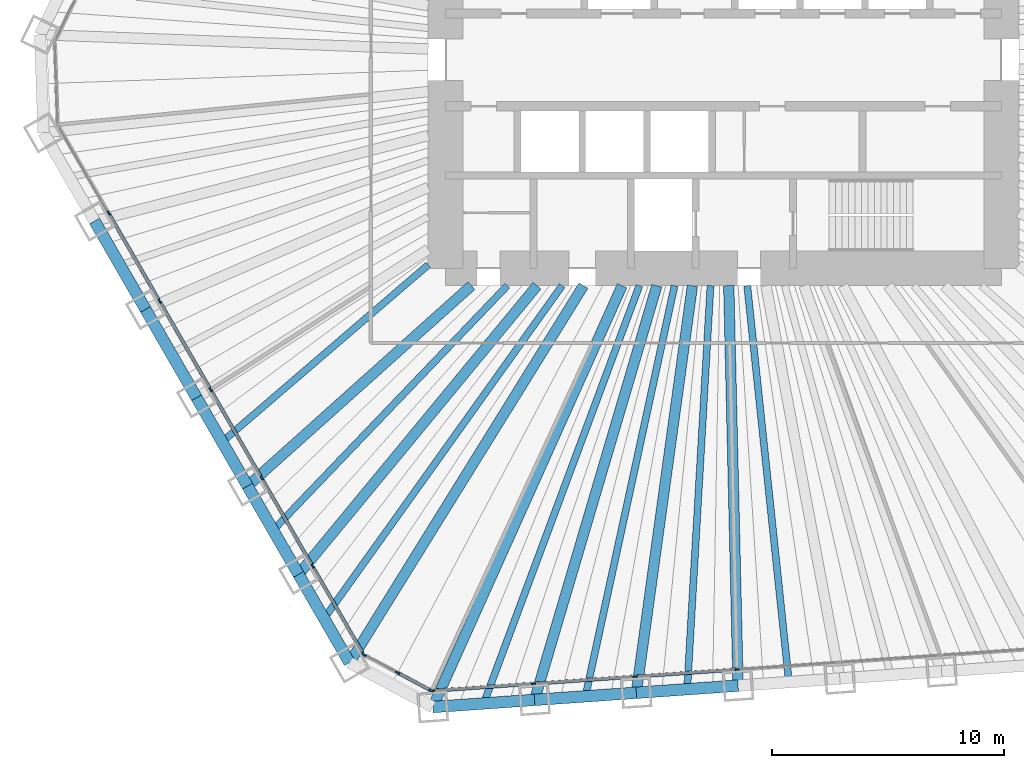
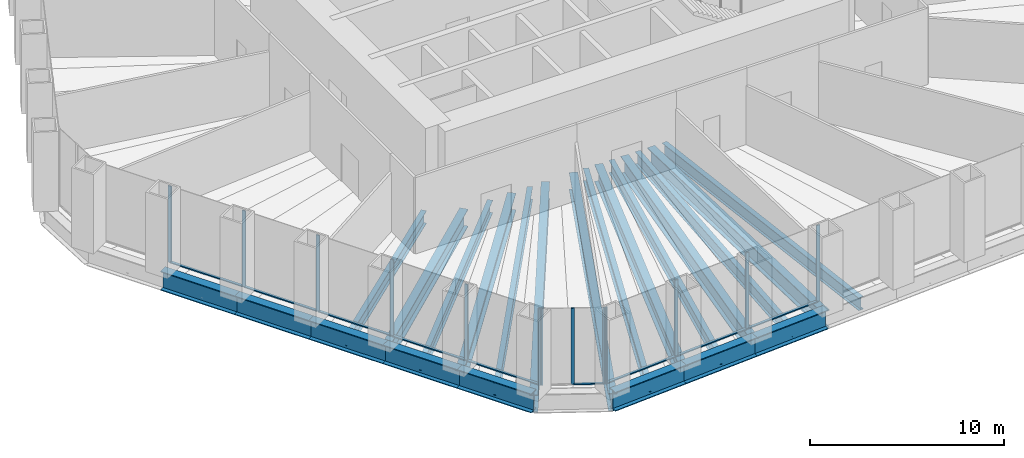
# One storey, part 2 of 13: 22 beams, 22 members, 3 elements without a shape of their own.
"""IFC4 building model written with IfcOpenShell, lengths in metres."""

from ifc_helpers import new_model, si_unit, direction, frame, origin, origin_2d, place, context, subcontext, project, spatial, rectangle, i_section, extrude, material, material_profile, profile_set, type_object, element, aggregate, save


model = new_model("IFC4")

# Units and contexts
model_context = context("Model", 3, precision=1e-05, world=origin(), true_north=direction((0.0, 1.0)))
body_context = subcontext(model_context, "Body", "Model", "MODEL_VIEW")
ifc_project = project(units=[si_unit("LENGTHUNIT", "METRE"), si_unit("AREAUNIT", "SQUARE_METRE"), si_unit("VOLUMEUNIT", "CUBIC_METRE"), si_unit("PLANEANGLEUNIT", "RADIAN"), si_unit("MASSUNIT", "GRAM", prefix="KILO")], contexts=[model_context])

# Site, building, storey
site_placement = place(None, origin())
site = spatial("IfcSite", under=ifc_project, at=site_placement, CompositionType="ELEMENT")
building_placement = place(site_placement, origin())
building = spatial("IfcBuilding", under=site, at=building_placement, Name="Qingtian Harvest Tower", CompositionType="ELEMENT")
storey_placement = place(building_placement, frame((0.0, 0.0, 62.0)))
storey = spatial("IfcBuildingStorey", under=building, at=storey_placement, Name="L12", CompositionType="ELEMENT", Elevation=62.0)

# Beams
ifc_material_1 = material(Name="Steel SM570MC", Category="steel")
ifc_material_profile_1 = material_profile(ifc_material_1, i_section(OverallWidth=0.449951171875, OverallDepth=1.10009765625, WebThickness=0.02197265625, FlangeThickness=0.044921875, at=origin_2d()), Name="H1100x450x22x45")
ifc_profile_set_1 = profile_set([ifc_material_profile_1], Name="Steel SM570MC")
beam_type_1 = type_object("IfcBeamType", Name="Corner floor beam FB8 H1100x450x22x45", PredefinedType="BEAM", material=ifc_profile_set_1)
beam_1_placement = place(storey_placement, frame((-12.552734375, -27.943603515625, -0.75), z_axis=(0.409769605538, 0.912189054077, 0.0), x_axis=(-0.912189054077, 0.409769605538, 0.0)))
element("IfcBeam", 1, at=beam_1_placement, inside=storey, type_object=beam_type_1, Name="Floor beam FB8 S6", PredefinedType="BEAM", context=body_context, shape_type="SweptSolid", body=[
    extrude(i_section(OverallWidth=0.449951171875, OverallDepth=1.10009765625, WebThickness=0.02197265625, FlangeThickness=0.044921875, at=origin_2d()), origin(), (0.0, 0.0, 1.0), 19.945068359375),
])
beam_2_placement = place(storey_placement, frame((-16.14697265625, -26.03271484375, -0.75), z_axis=(0.5270935495, 0.849807266429, 0.0), x_axis=(-0.849807266429, 0.5270935495, 0.0)))
element("IfcBeam", 2, at=beam_2_placement, inside=storey, type_object=beam_type_1, Name="Floor beam FB8 SW0", PredefinedType="BEAM", context=body_context, shape_type="SweptSolid", body=[
    extrude(i_section(OverallWidth=0.449951171875, OverallDepth=1.10009765625, WebThickness=0.02197265625, FlangeThickness=0.044921875, at=origin_2d()), origin(), (0.0, 0.0, 1.0), 19.160400390625),
])
ifc_material_2 = material(Name="Steel SM570MC", Category="steel")
ifc_material_profile_2 = material_profile(ifc_material_2, i_section(OverallWidth=0.449951171875, OverallDepth=1.10009765625, WebThickness=0.02197265625, FlangeThickness=0.044921875, at=origin_2d()), Name="H1100x450x22x45")
ifc_profile_set_2 = profile_set([ifc_material_profile_2], Name="Steel SM570MC")
beam_type_2 = type_object("IfcBeamType", Name="Floor beam FB1 H1100x450x22x45", PredefinedType="BEAM", material=ifc_profile_set_2)
beam_3_placement = place(storey_placement, frame((0.62890625, -27.02197265625, -0.75), z_axis=(-0.023274161941, 0.999729120005, 0.0), x_axis=(-0.999729120005, -0.023274161941, 0.0)))
element("IfcBeam", 3, at=beam_3_placement, inside=storey, type_object=beam_type_2, Name="Floor beam FB1 S3", PredefinedType="BEAM", context=body_context, shape_type="SweptSolid", body=[
    extrude(i_section(OverallWidth=0.449951171875, OverallDepth=1.10009765625, WebThickness=0.02197265625, FlangeThickness=0.044921875, at=origin_2d()), origin(), (0.0, 0.0, 1.0), 17.276611328125),
])
beam_4_placement = place(storey_placement, frame((-3.76513671875, -27.3291015625, -0.75), z_axis=(0.136480966577, 0.990642693287, 0.0), x_axis=(-0.990642693287, 0.136480966577, 0.0)))
element("IfcBeam", 4, at=beam_4_placement, inside=storey, type_object=beam_type_2, Name="Floor beam FB1 S4", PredefinedType="BEAM", context=body_context, shape_type="SweptSolid", body=[
    extrude(i_section(OverallWidth=0.449951171875, OverallDepth=1.10009765625, WebThickness=0.02197265625, FlangeThickness=0.044921875, at=origin_2d()), origin(), (0.0, 0.0, 1.0), 17.7451171875),
])
beam_5_placement = place(storey_placement, frame((-8.158935546875, -27.636474609375, -0.75), z_axis=(0.283142824758, 0.95907775534, 0.0), x_axis=(-0.95907775534, 0.283142824758, 0.0)))
element("IfcBeam", 5, at=beam_5_placement, inside=storey, type_object=beam_type_2, Name="Floor beam FB1 S5", PredefinedType="BEAM", context=body_context, shape_type="SweptSolid", body=[
    extrude(i_section(OverallWidth=0.449951171875, OverallDepth=1.10009765625, WebThickness=0.02197265625, FlangeThickness=0.044921875, at=origin_2d()), origin(), (0.0, 0.0, 1.0), 18.649658203125),
])
beam_6_placement = place(storey_placement, frame((-18.349365234375, -22.21826171875, -0.75), z_axis=(0.636780387972, 0.771045224026, 0.0), x_axis=(-0.771045224026, 0.636780387972, 0.0)))
element("IfcBeam", 6, at=beam_6_placement, inside=storey, type_object=beam_type_2, Name="Floor beam FB1 SW1", PredefinedType="BEAM", context=body_context, shape_type="SweptSolid", body=[
    extrude(i_section(OverallWidth=0.449951171875, OverallDepth=1.10009765625, WebThickness=0.02197265625, FlangeThickness=0.044921875, at=origin_2d()), origin(), (0.0, 0.0, 1.0), 16.170654296875),
])
beam_7_placement = place(storey_placement, frame((-20.551513671875, -18.403564453125, -0.75), z_axis=(0.744965104975, 0.667103434536, 0.0), x_axis=(-0.667103434536, 0.744965104975, 0.0)))
element("IfcBeam", 7, at=beam_7_placement, inside=storey, type_object=beam_type_2, Name="Floor beam FB1 SW2", PredefinedType="BEAM", context=body_context, shape_type="SweptSolid", body=[
    extrude(i_section(OverallWidth=0.449951171875, OverallDepth=1.10009765625, WebThickness=0.02197265625, FlangeThickness=0.044921875, at=origin_2d()), origin(), (0.0, 0.0, 1.0), 12.971923828125),
])
ifc_material_3 = material(Name="Steel SN490B", Category="steel")
ifc_material_profile_3 = material_profile(ifc_material_3, i_section(OverallWidth=0.300048828125, OverallDepth=0.800048828125, WebThickness=0.013916015625, FlangeThickness=0.02587890625, at=origin_2d()), Name="H800x300x14x26")
ifc_profile_set_3 = profile_set([ifc_material_profile_3], Name="Steel SN490B")
beam_type_3 = type_object("IfcBeamType", Name="Floor joist J1 H800x300x14x26", PredefinedType="JOIST", material=ifc_profile_set_3)
beam_8_placement = place(storey_placement, frame((2.82568359375, -26.868408203125, -0.60009765625), z_axis=(-0.104590278152, 0.99451539642, 0.0), x_axis=(-0.99451539642, -0.104590278152, 0.0)))
element("IfcBeam", 8, at=beam_8_placement, inside=storey, type_object=beam_type_3, Name="Floor joist J1 S2", PredefinedType="JOIST", context=body_context, shape_type="SweptSolid", body=[
    extrude(i_section(OverallWidth=0.300048828125, OverallDepth=0.800048828125, WebThickness=0.013916015625, FlangeThickness=0.02587890625, at=origin_2d()), origin(), (0.0, 0.0, 1.0), 17.212890625),
])
beam_9_placement = place(storey_placement, frame((-1.568115234375, -27.175537109375, -0.60009765625), z_axis=(0.057613424947, 0.998338967118, 0.0), x_axis=(-0.998338967118, 0.057613424947, 0.0)))
element("IfcBeam", 9, at=beam_9_placement, inside=storey, type_object=beam_type_3, Name="Floor joist J1 S3", PredefinedType="JOIST", context=body_context, shape_type="SweptSolid", body=[
    extrude(i_section(OverallWidth=0.300048828125, OverallDepth=0.800048828125, WebThickness=0.013916015625, FlangeThickness=0.02587890625, at=origin_2d()), origin(), (0.0, 0.0, 1.0), 17.45458984375),
])
beam_10_placement = place(storey_placement, frame((-5.9619140625, -27.48291015625, -0.60009765625), z_axis=(0.211992805661, 0.977271226604, 0.0), x_axis=(-0.977271226604, 0.211992805661, 0.0)))
element("IfcBeam", 10, at=beam_10_placement, inside=storey, type_object=beam_type_3, Name="Floor joist J1 S4", PredefinedType="JOIST", context=body_context, shape_type="SweptSolid", body=[
    extrude(i_section(OverallWidth=0.300048828125, OverallDepth=0.800048828125, WebThickness=0.013916015625, FlangeThickness=0.02587890625, at=origin_2d()), origin(), (0.0, 0.0, 1.0), 18.145263671875),
])
beam_11_placement = place(storey_placement, frame((-10.35595703125, -27.7900390625, -0.60009765625), z_axis=(0.349193741063, 0.937050548905, 0.0), x_axis=(-0.937050548905, 0.349193741063, 0.0)))
element("IfcBeam", 11, at=beam_11_placement, inside=storey, type_object=beam_type_3, Name="Floor joist J1 S5", PredefinedType="JOIST", context=body_context, shape_type="SweptSolid", body=[
    extrude(i_section(OverallWidth=0.300048828125, OverallDepth=0.800048828125, WebThickness=0.013916015625, FlangeThickness=0.02587890625, at=origin_2d()), origin(), (0.0, 0.0, 1.0), 19.251953125),
])
beam_12_placement = place(storey_placement, frame((-17.248046875, -24.12548828125, -0.60009765625), z_axis=(0.581580544546, 0.81348882611, 0.0), x_axis=(-0.81348882611, 0.581580544546, 0.0)))
element("IfcBeam", 12, at=beam_12_placement, inside=storey, type_object=beam_type_3, Name="Floor joist J1 SW0", PredefinedType="JOIST", context=body_context, shape_type="SweptSolid", body=[
    extrude(i_section(OverallWidth=0.300048828125, OverallDepth=0.800048828125, WebThickness=0.013916015625, FlangeThickness=0.02587890625, at=origin_2d()), origin(), (0.0, 0.0, 1.0), 17.67138671875),
])
beam_13_placement = place(storey_placement, frame((-19.450439453125, -20.31103515625, -0.60009765625), z_axis=(0.691639144398, 0.722243237377, 0.0), x_axis=(-0.722243237377, 0.691639144398, 0.0)))
element("IfcBeam", 13, at=beam_13_placement, inside=storey, type_object=beam_type_3, Name="Floor joist J1 SW1", PredefinedType="JOIST", context=body_context, shape_type="SweptSolid", body=[
    extrude(i_section(OverallWidth=0.300048828125, OverallDepth=0.800048828125, WebThickness=0.013916015625, FlangeThickness=0.02587890625, at=origin_2d()), origin(), (0.0, 0.0, 1.0), 14.62255859375),
])
beam_14_placement = place(storey_placement, frame((-21.652587890625, -16.496337890625, -0.60009765625), z_axis=(0.758605680154, 0.651550014994, 0.0), x_axis=(-0.651550014994, 0.758605680154, 0.0)))
element("IfcBeam", 14, at=beam_14_placement, inside=storey, type_object=beam_type_3, Name="Floor joist J1 SW2", PredefinedType="JOIST", context=body_context, shape_type="SweptSolid", body=[
    extrude(i_section(OverallWidth=0.300048828125, OverallDepth=0.800048828125, WebThickness=0.013916015625, FlangeThickness=0.02587890625, at=origin_2d()), origin(), (0.0, 0.0, 1.0), 11.7353515625),
])

# Curtain wall, members
ifc_material_4 = material(Name="Bronze-anodised aluminium curtain wall", Category="aluminium")
curtain_wall_type = type_object("IfcCurtainWallType", Name="Curtain wall CW2 farm reception", PredefinedType="USERDEFINED", material=ifc_material_4)
curtain_wall_1_placement = place(storey_placement, origin())
curtain_wall_1 = element("IfcCurtainWall", 15, at=curtain_wall_1_placement, inside=storey, type_object=curtain_wall_type, Name="Curtain wall CW2 L12 S0-5", ObjectType="RECESSED CURTAIN WALL", PredefinedType="USERDEFINED")
ifc_material_5 = material(Name="Bronze-anodised aluminium mullion", Category="aluminium")
ifc_material_profile_4 = material_profile(ifc_material_5, rectangle(XDim=0.06494140625, YDim=0.199951171875, at=origin_2d()), Name="AL 65x200")
ifc_profile_set_4 = profile_set([ifc_material_profile_4], Name="Bronze-anodised aluminium mullion")
member_type_1 = type_object("IfcMemberType", Name="Mullion CWM 65x200", PredefinedType="MULLION", material=ifc_profile_set_4)
member_1_placement = place(storey_placement, frame((0.580078125, -26.32373046875, 0.0), z_axis=(0.0, 0.0, 1.0), x_axis=(0.069756473744, -0.99756405026, 0.0)))
member_1 = element("IfcMember", 16, at=member_1_placement, type_object=member_type_1, Name="CW2 mullion 4", PredefinedType="MULLION", context=body_context, shape_type="SweptSolid", body=[
    extrude(rectangle(XDim=0.06494140625, YDim=0.199951171875, at=origin_2d()), origin(), (0.0, 0.0, 1.0), 4.800048828125),
])
member_2_placement = place(storey_placement, frame((-3.81396484375, -26.630859375, 0.0), z_axis=(0.0, 0.0, 1.0), x_axis=(0.069756473744, -0.99756405026, 0.0)))
member_2 = element("IfcMember", 17, at=member_2_placement, type_object=member_type_1, Name="CW2 mullion 5", PredefinedType="MULLION", context=body_context, shape_type="SweptSolid", body=[
    extrude(rectangle(XDim=0.06494140625, YDim=0.199951171875, at=origin_2d()), origin(), (0.0, 0.0, 1.0), 4.800048828125),
])
member_3_placement = place(storey_placement, frame((-8.207763671875, -26.938232421875, 0.0), z_axis=(0.0, 0.0, 1.0), x_axis=(0.069756473744, -0.99756405026, 0.0)))
member_3 = element("IfcMember", 18, at=member_3_placement, type_object=member_type_1, Name="CW2 mullion 6", PredefinedType="MULLION", context=body_context, shape_type="SweptSolid", body=[
    extrude(rectangle(XDim=0.06494140625, YDim=0.199951171875, at=origin_2d()), origin(), (0.0, 0.0, 1.0), 4.800048828125),
])
member_4_placement = place(storey_placement, frame((-12.569091796875, -27.2431640625, 0.0), z_axis=(0.0, 0.0, 1.0), x_axis=(0.069756473744, -0.99756405026, 0.0)))
member_4 = element("IfcMember", 19, at=member_4_placement, type_object=member_type_1, Name="CW2 mullion 7", PredefinedType="MULLION", context=body_context, shape_type="SweptSolid", body=[
    extrude(rectangle(XDim=0.06494140625, YDim=0.199951171875, at=origin_2d()), origin(), (0.0, 0.0, 1.0), 4.800048828125),
])

curtain_wall_2_placement = place(storey_placement, origin())
curtain_wall_2 = element("IfcCurtainWall", 20, at=curtain_wall_2_placement, inside=storey, type_object=curtain_wall_type, Name="Curtain wall CW2 L12 SC", ObjectType="RECESSED CURTAIN WALL", PredefinedType="USERDEFINED")
member_5_placement = place(storey_placement, frame((-12.63037109375, -27.230224609375, 0.0), z_axis=(0.0, 0.0, 1.0), x_axis=(-0.469471562786, -0.882947592859, 0.0)))
member_5 = element("IfcMember", 21, at=member_5_placement, type_object=member_type_1, Name="CW2 mullion 1", PredefinedType="MULLION", context=body_context, shape_type="SweptSolid", body=[
    extrude(rectangle(XDim=0.06494140625, YDim=0.199951171875, at=origin_2d()), origin(), (0.0, 0.0, 1.0), 4.800048828125),
])
member_6_placement = place(storey_placement, frame((-14.0712890625, -26.464111328125, 0.0), z_axis=(0.0, 0.0, 1.0), x_axis=(-0.469471562786, -0.882947592859, 0.0)))
member_6 = element("IfcMember", 22, at=member_6_placement, type_object=member_type_1, Name="CW2 mullion 2", PredefinedType="MULLION", context=body_context, shape_type="SweptSolid", body=[
    extrude(rectangle(XDim=0.06494140625, YDim=0.199951171875, at=origin_2d()), origin(), (0.0, 0.0, 1.0), 4.800048828125),
])
member_7_placement = place(storey_placement, frame((-15.511962890625, -25.697998046875, 0.0), z_axis=(0.0, 0.0, 1.0), x_axis=(-0.469471562786, -0.882947592859, 0.0)))
member_7 = element("IfcMember", 23, at=member_7_placement, type_object=member_type_1, Name="CW2 mullion 3", PredefinedType="MULLION", context=body_context, shape_type="SweptSolid", body=[
    extrude(rectangle(XDim=0.06494140625, YDim=0.199951171875, at=origin_2d()), origin(), (0.0, 0.0, 1.0), 4.800048828125),
])

curtain_wall_3_placement = place(storey_placement, origin())
curtain_wall_3 = element("IfcCurtainWall", 24, at=curtain_wall_3_placement, inside=storey, type_object=curtain_wall_type, Name="Curtain wall CW2 L12 SW0-5", ObjectType="RECESSED CURTAIN WALL", PredefinedType="USERDEFINED")
member_8_placement = place(storey_placement, frame((-15.556884765625, -25.654541015625, 0.0), z_axis=(0.0, 0.0, 1.0), x_axis=(-0.866025403784, -0.5, 0.0)))
member_8 = element("IfcMember", 25, at=member_8_placement, type_object=member_type_1, Name="CW2 mullion 1", PredefinedType="MULLION", context=body_context, shape_type="SweptSolid", body=[
    extrude(rectangle(XDim=0.06494140625, YDim=0.199951171875, at=origin_2d()), origin(), (0.0, 0.0, 1.0), 4.800048828125),
])
member_9_placement = place(storey_placement, frame((-17.742919921875, -21.8681640625, 0.0), z_axis=(0.0, 0.0, 1.0), x_axis=(-0.866025403784, -0.5, 0.0)))
member_9 = element("IfcMember", 26, at=member_9_placement, type_object=member_type_1, Name="CW2 mullion 2", PredefinedType="MULLION", context=body_context, shape_type="SweptSolid", body=[
    extrude(rectangle(XDim=0.06494140625, YDim=0.199951171875, at=origin_2d()), origin(), (0.0, 0.0, 1.0), 4.800048828125),
])
member_10_placement = place(storey_placement, frame((-19.9453125, -18.0537109375, 0.0), z_axis=(0.0, 0.0, 1.0), x_axis=(-0.866025403784, -0.5, 0.0)))
member_10 = element("IfcMember", 27, at=member_10_placement, type_object=member_type_1, Name="CW2 mullion 3", PredefinedType="MULLION", context=body_context, shape_type="SweptSolid", body=[
    extrude(rectangle(XDim=0.06494140625, YDim=0.199951171875, at=origin_2d()), origin(), (0.0, 0.0, 1.0), 4.800048828125),
])
member_11_placement = place(storey_placement, frame((-22.147705078125, -14.2392578125, 0.0), z_axis=(0.0, 0.0, 1.0), x_axis=(-0.866025403784, -0.5, 0.0)))
member_11 = element("IfcMember", 28, at=member_11_placement, type_object=member_type_1, Name="CW2 mullion 4", PredefinedType="MULLION", context=body_context, shape_type="SweptSolid", body=[
    extrude(rectangle(XDim=0.06494140625, YDim=0.199951171875, at=origin_2d()), origin(), (0.0, 0.0, 1.0), 4.800048828125),
])
member_12_placement = place(storey_placement, frame((-24.349853515625, -10.424560546875, 0.0), z_axis=(0.0, 0.0, 1.0), x_axis=(-0.866025403784, -0.5, 0.0)))
member_12 = element("IfcMember", 29, at=member_12_placement, type_object=member_type_1, Name="CW2 mullion 5", PredefinedType="MULLION", context=body_context, shape_type="SweptSolid", body=[
    extrude(rectangle(XDim=0.06494140625, YDim=0.199951171875, at=origin_2d()), origin(), (0.0, 0.0, 1.0), 4.800048828125),
])
member_13_placement = place(storey_placement, frame((-26.55224609375, -6.610107421875, 0.0), z_axis=(0.0, 0.0, 1.0), x_axis=(-0.866025403784, -0.5, 0.0)))
member_13 = element("IfcMember", 30, at=member_13_placement, type_object=member_type_1, Name="CW2 mullion 6", PredefinedType="MULLION", context=body_context, shape_type="SweptSolid", body=[
    extrude(rectangle(XDim=0.06494140625, YDim=0.199951171875, at=origin_2d()), origin(), (0.0, 0.0, 1.0), 4.800048828125),
])

# Beams
ifc_material_6 = material(Name="Steel SM570MC", Category="steel")
ifc_material_profile_5 = material_profile(ifc_material_6, i_section(OverallWidth=0.5, OverallDepth=1.199951171875, WebThickness=0.02490234375, FlangeThickness=0.050048828125, at=origin_2d()), Name="H1200x500x25x50")
ifc_profile_set_5 = profile_set([ifc_material_profile_5], Name="Steel SM570MC")
beam_type_4 = type_object("IfcBeamType", Name="Spandrel beam SB1 H1200x500x25x50", PredefinedType="SPANDREL", material=ifc_profile_set_5)
beam_15_placement = place(storey_placement, frame((0.62890625, -27.02197265625, -0.60009765625), z_axis=(-0.997566143208, -0.069726536735, 0.0), x_axis=(0.069726536735, -0.997566143208, 0.0)))
element("IfcBeam", 31, at=beam_15_placement, inside=storey, type_object=beam_type_4, Name="Spandrel SB1 S3", PredefinedType="SPANDREL", context=body_context, shape_type="SweptSolid", body=[
    extrude(i_section(OverallWidth=0.5, OverallDepth=1.199951171875, WebThickness=0.02490234375, FlangeThickness=0.050048828125, at=origin_2d()), origin(), (0.0, 0.0, 1.0), 4.40478515625),
])
for number, where, z_axis, x_axis, name in (
    (32, (-3.76513671875, -27.3291015625, -0.60009765625), (-0.997562016486, -0.069785551967, 0.0), (0.069785551967, -0.997562016486, 0.0), "Spandrel SB1 S4"),
    (33, (-8.158935546875, -27.636474609375, -0.60009765625), (-0.997565873714, -0.069730392239, 0.0), (0.069730392239, -0.997565873714, 0.0), "Spandrel SB1 S5"),
    (34, (-16.14697265625, -26.03271484375, -0.60009765625), (-0.50001992892, 0.866013897511, 0.0), (-0.866013897511, -0.50001992892, 0.0), "Spandrel SB1 SW0"),
):
    element("IfcBeam", number, at=place(storey_placement, frame(where, z_axis=z_axis, x_axis=x_axis)), inside=storey, type_object=beam_type_4, Name=name, PredefinedType="SPANDREL", context=body_context, shape_type="SweptSolid", body=[
        extrude(i_section(OverallWidth=0.5, OverallDepth=1.199951171875, WebThickness=0.02490234375, FlangeThickness=0.050048828125, at=origin_2d()), origin(), (0.0, 0.0, 1.0), 4.404541015625),
    ])
beam_16_placement = place(storey_placement, frame((-18.349365234375, -22.21826171875, -0.60009765625), z_axis=(-0.499954356739, 0.86605175433, 0.0), x_axis=(-0.86605175433, -0.499954356739, 0.0)))
element("IfcBeam", 35, at=beam_16_placement, inside=storey, type_object=beam_type_4, Name="Spandrel SB1 SW1", PredefinedType="SPANDREL", context=body_context, shape_type="SweptSolid", body=[
    extrude(i_section(OverallWidth=0.5, OverallDepth=1.199951171875, WebThickness=0.02490234375, FlangeThickness=0.050048828125, at=origin_2d()), origin(), (0.0, 0.0, 1.0), 4.40478515625),
])
for number, where, z_axis, x_axis, name in (
    (36, (-20.551513671875, -18.403564453125, -0.60009765625), (-0.50001992892, 0.866013897511, 0.0), (-0.866013897511, -0.50001992892, 0.0), "Spandrel SB1 SW2"),
    (37, (-22.75390625, -14.589111328125, -0.60009765625), (-0.499978356969, 0.866037899034, 0.0), (-0.866037899034, -0.499978356969, 0.0), "Spandrel SB1 SW3"),
    (38, (-24.9560546875, -10.774658203125, -0.60009765625), (-0.50001992892, 0.866013897511, 0.0), (-0.866013897511, -0.50001992892, 0.0), "Spandrel SB1 SW4"),
):
    element("IfcBeam", number, at=place(storey_placement, frame(where, z_axis=z_axis, x_axis=x_axis)), inside=storey, type_object=beam_type_4, Name=name, PredefinedType="SPANDREL", context=body_context, shape_type="SweptSolid", body=[
        extrude(i_section(OverallWidth=0.5, OverallDepth=1.199951171875, WebThickness=0.02490234375, FlangeThickness=0.050048828125, at=origin_2d()), origin(), (0.0, 0.0, 1.0), 4.404541015625),
    ])

# Member
ifc_material_7 = material(Name="Bronze-anodised aluminium transom", Category="aluminium")
ifc_material_profile_6 = material_profile(ifc_material_7, rectangle(XDim=0.14990234375, YDim=0.06494140625, at=origin_2d()), Name="AL 65x150")
ifc_profile_set_6 = profile_set([ifc_material_profile_6], Name="Bronze-anodised aluminium transom")
member_type_2 = type_object("IfcMemberType", Name="Transom CWT 65x150", PredefinedType="USERDEFINED", material=ifc_profile_set_6)
member_14_placement = place(storey_placement, frame((0.547607421875, -26.325927734375, 0.032470703125), z_axis=(-0.997563824095, -0.069759707979, 0.0), x_axis=(0.069759707979, -0.997563824095, 0.0)))
member_14 = element("IfcMember", 39, at=member_14_placement, type_object=member_type_2, Name="CW2 transom 4.1", ObjectType="TRANSOM", PredefinedType="USERDEFINED", context=body_context, shape_type="SweptSolid", body=[
    extrude(rectangle(XDim=0.14990234375, YDim=0.06494140625, at=origin_2d()), origin(), (0.0, 0.0, 1.0), 4.339599609375),
])

member_15_placement = place(storey_placement, frame((-3.84619140625, -26.63330078125, 0.032470703125), z_axis=(-0.997567737508, -0.069703723594, 0.0), x_axis=(0.069703723594, -0.997567737508, 0.0)))
member_15 = element("IfcMember", 40, at=member_15_placement, type_object=member_type_2, Name="CW2 transom 5.1", ObjectType="TRANSOM", PredefinedType="USERDEFINED", context=body_context, shape_type="SweptSolid", body=[
    extrude(rectangle(XDim=0.14990234375, YDim=0.06494140625, at=origin_2d()), origin(), (0.0, 0.0, 1.0), 4.339599609375),
])

member_16_placement = place(storey_placement, frame((-8.240234375, -26.9404296875, 0.032470703125), z_axis=(-0.997562637827, -0.069776669536, 0.0), x_axis=(0.069776669536, -0.997562637827, 0.0)))
member_16 = element("IfcMember", 41, at=member_16_placement, type_object=member_type_2, Name="CW2 transom 6.1", ObjectType="TRANSOM", PredefinedType="USERDEFINED", context=body_context, shape_type="SweptSolid", body=[
    extrude(rectangle(XDim=0.14990234375, YDim=0.06494140625, at=origin_2d()), origin(), (0.0, 0.0, 1.0), 4.30712890625),
])

aggregate(curtain_wall_1, [member_1, member_2, member_3, member_4, member_14, member_15, member_16])

member_17_placement = place(storey_placement, frame((-12.658935546875, -27.21484375, 0.032470703125), z_axis=(-0.882960338349, 0.46944759122, 0.0), x_axis=(-0.46944759122, -0.882960338349, 0.0)))
member_17 = element("IfcMember", 42, at=member_17_placement, type_object=member_type_2, Name="CW2 transom 1.1", ObjectType="TRANSOM", PredefinedType="USERDEFINED", context=body_context, shape_type="SweptSolid", body=[
    extrude(rectangle(XDim=0.14990234375, YDim=0.06494140625, at=origin_2d()), origin(), (0.0, 0.0, 1.0), 1.56689453125),
])

aggregate(curtain_wall_2, [member_5, member_6, member_7, member_17])

member_18_placement = place(storey_placement, frame((-15.5732421875, -25.62646484375, 0.032470703125), z_axis=(-0.499985768833, 0.866033619997, 0.0), x_axis=(-0.866033619997, -0.499985768833, 0.0)))
member_18 = element("IfcMember", 43, at=member_18_placement, type_object=member_type_2, Name="CW2 transom 1.1", ObjectType="TRANSOM", PredefinedType="USERDEFINED", context=body_context, shape_type="SweptSolid", body=[
    extrude(rectangle(XDim=0.14990234375, YDim=0.06494140625, at=origin_2d()), origin(), (0.0, 0.0, 1.0), 4.307373046875),
])

member_19_placement = place(storey_placement, frame((-17.75927734375, -21.840087890625, 0.032470703125), z_axis=(-0.500011390128, 0.866018827591, 0.0), x_axis=(-0.866018827591, -0.500011390128, 0.0)))
member_19 = element("IfcMember", 44, at=member_19_placement, type_object=member_type_2, Name="CW2 transom 2.1", ObjectType="TRANSOM", PredefinedType="USERDEFINED", context=body_context, shape_type="SweptSolid", body=[
    extrude(rectangle(XDim=0.14990234375, YDim=0.06494140625, at=origin_2d()), origin(), (0.0, 0.0, 1.0), 4.33984375),
])

member_20_placement = place(storey_placement, frame((-19.961669921875, -18.025634765625, 0.032470703125), z_axis=(-0.499969196308, 0.866043187574, 0.0), x_axis=(-0.866043187574, -0.499969196308, 0.0)))
member_20 = element("IfcMember", 45, at=member_20_placement, type_object=member_type_2, Name="CW2 transom 3.1", ObjectType="TRANSOM", PredefinedType="USERDEFINED", context=body_context, shape_type="SweptSolid", body=[
    extrude(rectangle(XDim=0.14990234375, YDim=0.06494140625, at=origin_2d()), origin(), (0.0, 0.0, 1.0), 4.339599609375),
])

member_21_placement = place(storey_placement, frame((-22.163818359375, -14.2109375, 0.032470703125), z_axis=(-0.500035751442, 0.866004761696, 0.0), x_axis=(-0.866004761696, -0.500035751442, 0.0)))
member_21 = element("IfcMember", 46, at=member_21_placement, type_object=member_type_2, Name="CW2 transom 4.1", ObjectType="TRANSOM", PredefinedType="USERDEFINED", context=body_context, shape_type="SweptSolid", body=[
    extrude(rectangle(XDim=0.14990234375, YDim=0.06494140625, at=origin_2d()), origin(), (0.0, 0.0, 1.0), 4.339599609375),
])

member_22_placement = place(storey_placement, frame((-24.3662109375, -10.396484375, 0.032470703125), z_axis=(-0.499993556937, 0.866029123656, 0.0), x_axis=(-0.866029123656, -0.499993556937, 0.0)))
member_22 = element("IfcMember", 47, at=member_22_placement, type_object=member_type_2, Name="CW2 transom 5.1", ObjectType="TRANSOM", PredefinedType="USERDEFINED", context=body_context, shape_type="SweptSolid", body=[
    extrude(rectangle(XDim=0.14990234375, YDim=0.06494140625, at=origin_2d()), origin(), (0.0, 0.0, 1.0), 4.33935546875),
])

aggregate(curtain_wall_3, [member_8, member_9, member_10, member_11, member_12, member_13, member_18, member_19, member_20, member_21, member_22])

save(model, "model.ifc")
